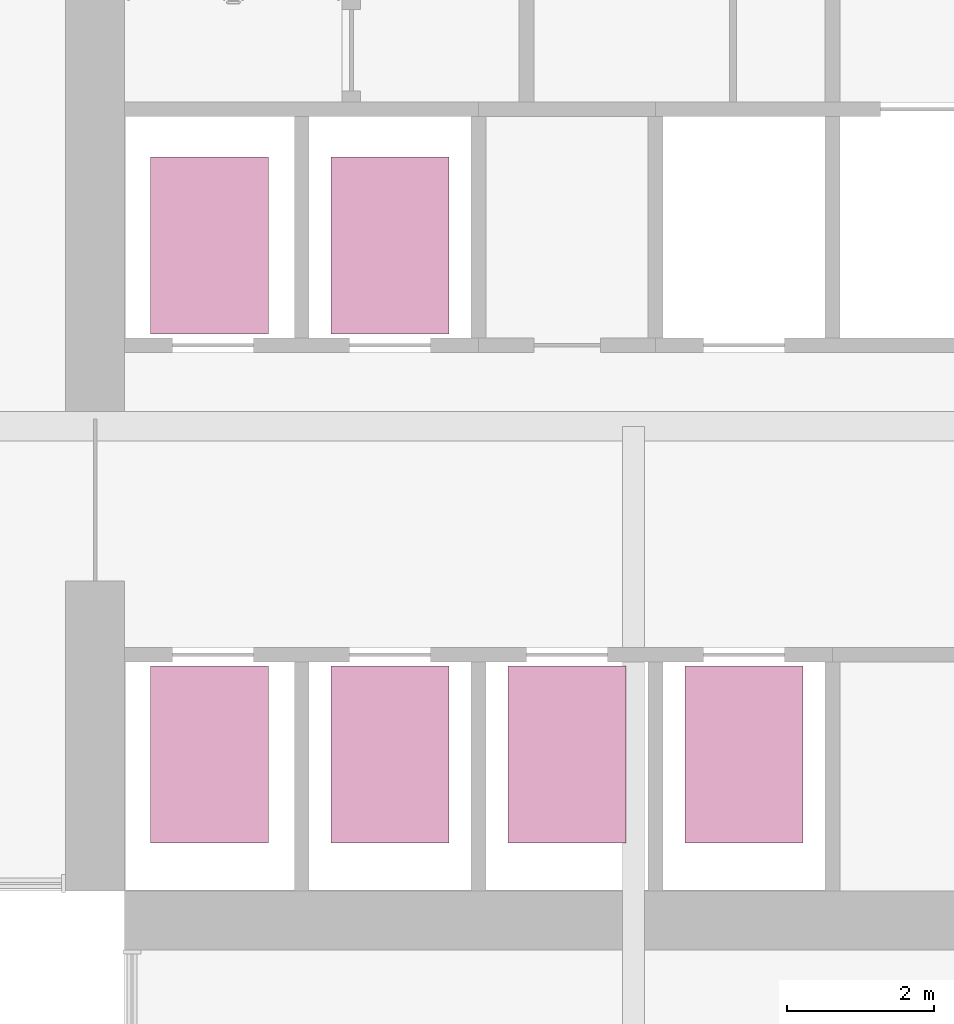
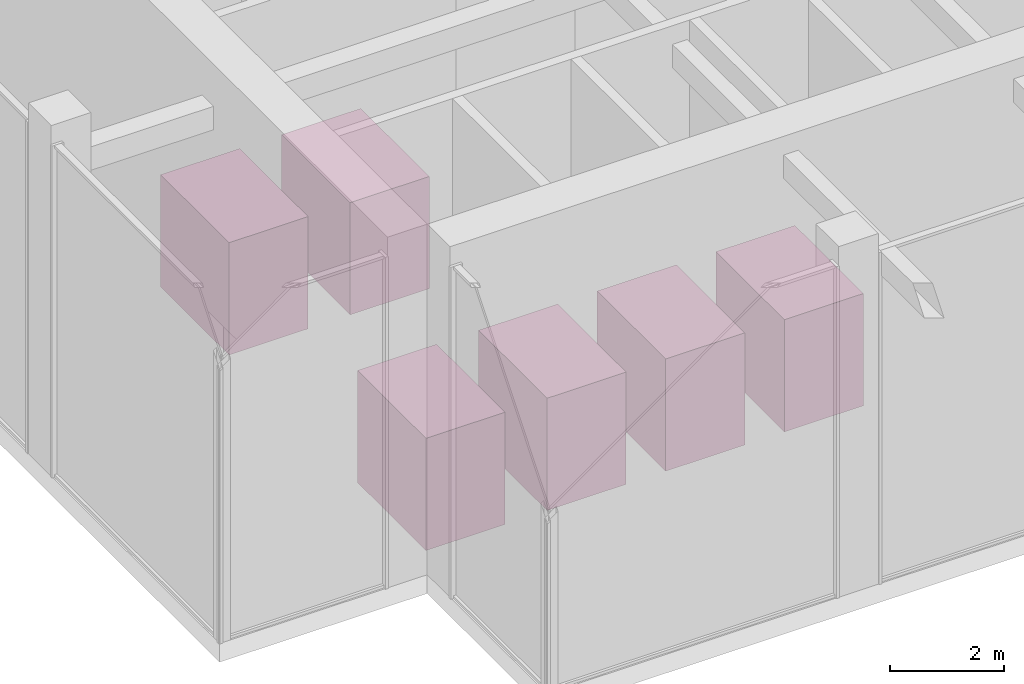
# One storey, part 13 of 13: 6 transport elements.
"""IFC4 building model written with IfcOpenShell, lengths in metres."""

import ifcopenshell
import ifcopenshell.guid

model = None  # the IFC model being written
_history = None  # IfcOwnerHistory: only IFC2X3 demands one
_inside = {}  # id of a spatial element -> (the spatial element, [elements in it])
_under = {}  # id of a project, library or spatial element -> (it, [spatial elements below it])
_declared = {}  # id of a project -> (the project, [libraries it declares])
_typed = {}  # id of a type object -> (the type object, [elements of that type])
_made_of = {}  # id of a material, layer set ... -> (it, [elements and type objects made of it])


def new_model(schema):
    """Start an empty IFC model of exactly this schema.

    Asked for "IFC4X3", IfcOpenShell would pick the latest addendum, in which some entities
    have other attributes; the version numbers below select the first issue.
    IFC2X3 requires an IfcOwnerHistory on every rooted entity: one is made here for all.
    """
    global model, _history
    if schema == "IFC4X3":
        model = ifcopenshell.file(schema_version=(4, 3, 0, 0))
    else:
        model = ifcopenshell.file(schema=schema)
    _inside.clear()
    _under.clear()
    _declared.clear()
    _typed.clear()
    _made_of.clear()
    _history = None
    if model.schema == "IFC2X3":
        org = make("IfcOrganization", Name="unknown")
        user = make(
            "IfcPersonAndOrganization",
            ThePerson=make("IfcPerson", FamilyName="unknown"),
            TheOrganization=org,
        )
        app = make(
            "IfcApplication",
            ApplicationDeveloper=org,
            Version="unknown",
            ApplicationFullName="unknown",
            ApplicationIdentifier="unknown",
        )
        _history = make(
            "IfcOwnerHistory",
            OwningUser=user,
            OwningApplication=app,
            ChangeAction="ADDED",
            CreationDate=0,
        )
    return model


def make(cls, **values):
    """One entity of the class cls with the attributes given. An attribute that is None is left unset."""
    return model.create_entity(
        cls, **{name: value for name, value in values.items() if value is not None}
    )


def rooted(cls, **values):
    """An entity with a GlobalId (a new one), such as an element, a storey or a relation."""
    return make(cls, GlobalId=ifcopenshell.guid.new(), OwnerHistory=_history, **values)


def si_unit(unit_type, name, prefix=None):
    """IfcSIUnit, for example si_unit("LENGTHUNIT", "METRE", prefix="MILLI")."""
    return make("IfcSIUnit", UnitType=unit_type, Prefix=prefix, Name=name)


def assignment(units):
    """IfcUnitAssignment: the units of a project."""
    return None if units is None else make("IfcUnitAssignment", Units=units)


def point(xyz):
    """IfcCartesianPoint."""
    return None if xyz is None else make("IfcCartesianPoint", Coordinates=xyz)


def direction(xyz):
    """IfcDirection."""
    return None if xyz is None else make("IfcDirection", DirectionRatios=xyz)


def frame(location, z_axis=None, x_axis=None):
    """IfcAxis2Placement3D, a coordinate frame: its origin and axes. An axis left out is left unset."""
    return make(
        "IfcAxis2Placement3D",
        Location=point(location),
        Axis=direction(z_axis),
        RefDirection=direction(x_axis),
    )


def frame_2d(location, x_axis=None):
    """IfcAxis2Placement2D, a coordinate frame in the plane: its origin and x axis."""
    return make(
        "IfcAxis2Placement2D", Location=point(location), RefDirection=direction(x_axis)
    )


def origin():
    """The frame at (0, 0, 0) with its axes left unset."""
    return frame((0.0, 0.0, 0.0))


def origin_2d():
    """The frame at (0, 0) in the plane with its x axis left unset."""
    return frame_2d((0.0, 0.0))


def place(relative_to, where):
    """IfcLocalPlacement: puts the frame where relative to a parent placement (None: the world)."""
    return make(
        "IfcLocalPlacement", PlacementRelTo=relative_to, RelativePlacement=where
    )


def context(
    kind, dimensions, precision=None, world=None, true_north=None, identifier=None
):
    """IfcGeometricRepresentationContext, for example the 3D "Model" context."""
    return make(
        "IfcGeometricRepresentationContext",
        ContextIdentifier=identifier,
        ContextType=kind,
        CoordinateSpaceDimension=dimensions,
        Precision=precision,
        WorldCoordinateSystem=world,
        TrueNorth=true_north,
    )


def subcontext(parent, identifier, kind, view, scale=None):
    """IfcGeometricRepresentationSubContext, for example "Body" below "Model"."""
    return make(
        "IfcGeometricRepresentationSubContext",
        ContextIdentifier=identifier,
        ContextType=kind,
        ParentContext=parent,
        TargetScale=scale,
        TargetView=view,
    )


def project(units=None, contexts=None):
    """IfcProject with its units and contexts."""
    return rooted(
        "IfcProject",
        Name="project",
        RepresentationContexts=contexts,
        UnitsInContext=assignment(units),
    )


def spatial(cls, under=None, at=None, **own):
    """A site, building, storey or space (cls), placed at a placement, below another one or the project."""
    s = rooted(cls, ObjectPlacement=at, **own)
    if under is not None:
        _under.setdefault(under.id(), (under, []))[1].append(s)
    return s


def profile(cls, at=None, kind="AREA", **sizes):
    """A parametric profile (cls). Its sizes go by their IFC names, for example OverallWidth=200.0."""
    return make(cls, ProfileType=kind, Position=at, **sizes)


def rectangle(**sizes):
    """IfcRectangleProfileDef."""
    return profile("IfcRectangleProfileDef", **sizes)


def extrude(swept, where, along, depth):
    """IfcExtrudedAreaSolid: the profile swept, set in the frame where, extruded along a direction by depth."""
    return make(
        "IfcExtrudedAreaSolid",
        SweptArea=swept,
        Position=where,
        ExtrudedDirection=direction(along),
        Depth=depth,
    )


def shape(context_of_items, identifier, shape_type, items):
    """IfcShapeRepresentation: the items that make up one representation, for example the "Body"."""
    return make(
        "IfcShapeRepresentation",
        ContextOfItems=context_of_items,
        RepresentationIdentifier=identifier,
        RepresentationType=shape_type,
        Items=items,
    )


def source(mapping_origin, context_of_items, identifier, shape_type, items):
    """IfcRepresentationMap: a shape defined once, which mapped items show again and again."""
    return make(
        "IfcRepresentationMap",
        MappingOrigin=mapping_origin,
        MappedRepresentation=shape(context_of_items, identifier, shape_type, items),
    )


def transform(
    local_origin,
    x_axis=None,
    y_axis=None,
    z_axis=None,
    scale=None,
    scale2=None,
    scale3=None,
    uniform=True,
):
    """IfcCartesianTransformationOperator3D, or its non-uniform kind. x_axis, y_axis, z_axis: its Axis1, 2, 3."""
    if uniform:
        return make(
            "IfcCartesianTransformationOperator3D",
            Axis1=direction(x_axis),
            Axis2=direction(y_axis),
            LocalOrigin=point(local_origin),
            Scale=scale,
            Axis3=direction(z_axis),
        )
    return make(
        "IfcCartesianTransformationOperator3DnonUniform",
        Axis1=direction(x_axis),
        Axis2=direction(y_axis),
        LocalOrigin=point(local_origin),
        Scale=scale,
        Axis3=direction(z_axis),
        Scale2=scale2,
        Scale3=scale3,
    )


def mapped(mapping_source, mapping_target):
    """IfcMappedItem: shows the shape of a source again, moved by a transform."""
    return make(
        "IfcMappedItem", MappingSource=mapping_source, MappingTarget=mapping_target
    )


def material(Name=None, Category=None):
    """IfcMaterial."""
    return make("IfcMaterial", Name=Name, Category=Category)


def made_of(thing, what):
    """Note that an element or type object is made of a material, layer set ...; save() writes the relation."""
    if what is not None:
        _made_of.setdefault(what.id(), (what, []))[1].append(thing)
    return thing


def type_object(cls, material=None, **own):
    """A type object (cls), such as IfcWallType, which elements share."""
    return made_of(rooted(cls, **own), material)


def element(
    cls,
    number,
    at=None,
    inside=None,
    cuts=None,
    type_object=None,
    material=None,
    context=None,
    identifier="Body",
    shape_type=None,
    held_by="IfcProductDefinitionShape",
    body=None,
    shapes=None,
    **own,
):
    """One element of the class cls, such as IfcWall. Its Tag is "e" and its number.

    at: its placement. inside: the storey or other place that contains it. cuts: it is an
    opening in that element (IfcRelVoidsElement). A single representation is given by context,
    identifier, shape_type and body (its items); several are given by shapes. held_by: the class
    of the entity that holds the representations. save() writes the other relations.
    """
    e = rooted(cls, Tag="e%d" % number, ObjectPlacement=at, **own)
    if body is not None:
        shapes = [shape(context, identifier, shape_type, body)]
    if shapes is not None:
        e.Representation = make(held_by, Representations=shapes)
    if inside is not None:
        _inside.setdefault(inside.id(), (inside, []))[1].append(e)
    if cuts is not None:
        rooted(
            "IfcRelVoidsElement", RelatingBuildingElement=cuts, RelatedOpeningElement=e
        )
    if type_object is not None:
        _typed.setdefault(type_object.id(), (type_object, []))[1].append(e)
    return made_of(e, material)


def aggregate(whole, parts):
    """IfcRelAggregates: a whole, such as a stair, and the parts it consists of."""
    return rooted("IfcRelAggregates", RelatingObject=whole, RelatedObjects=parts)


def save(model, path):
    """Write the relations noted so far, then the file.

    IfcRelAggregates (storeys below a building ...), IfcRelContainedInSpatialStructure (elements
    in a storey), IfcRelDefinesByType, IfcRelAssociatesMaterial and IfcRelDeclares: one each for
    every whole, place, type object, material and project.
    """
    for whole, parts in _under.values():
        aggregate(whole, parts)
    for where, things in _inside.values():
        rooted(
            "IfcRelContainedInSpatialStructure",
            RelatedElements=things,
            RelatingStructure=where,
        )
    for kind, things in _typed.values():
        rooted("IfcRelDefinesByType", RelatedObjects=things, RelatingType=kind)
    for what, things in _made_of.values():
        rooted("IfcRelAssociatesMaterial", RelatedObjects=things, RelatingMaterial=what)
    for by, libraries in _declared.values():
        rooted("IfcRelDeclares", RelatingContext=by, RelatedDefinitions=libraries)
    model.write(path)


model = new_model("IFC4")

# Units and contexts
model_context = context("Model", 3, precision=1e-05, world=origin(), true_north=direction((0.0, 1.0)))
body_context = subcontext(model_context, "Body", "Model", "MODEL_VIEW")
ifc_project = project(units=[si_unit("LENGTHUNIT", "METRE"), si_unit("AREAUNIT", "SQUARE_METRE"), si_unit("VOLUMEUNIT", "CUBIC_METRE"), si_unit("PLANEANGLEUNIT", "RADIAN"), si_unit("MASSUNIT", "GRAM", prefix="KILO")], contexts=[model_context])

# Site, building, storey
site_placement = place(None, origin())
site = spatial("IfcSite", under=ifc_project, at=site_placement, CompositionType="ELEMENT")
building_placement = place(site_placement, origin())
building = spatial("IfcBuilding", under=site, at=building_placement, Name="Aurelian Terraces", CompositionType="ELEMENT")
storey_placement = place(building_placement, frame((0.0, 0.0, 277.0)))
storey = spatial("IfcBuildingStorey", under=building, at=storey_placement, Name="L63", CompositionType="ELEMENT", Elevation=277.0)

# Transport elements
ifc_material = material(Name="Stainless steel panelling", Category="steel")
transport_element_type = type_object("IfcTransportElementType", Name="Lift car LH", PredefinedType="ELEVATOR", material=ifc_material)
shared_shape = source(origin(), body_context, "Body", "SweptSolid", [
    extrude(rectangle(XDim=1.6, YDim=2.4, at=origin_2d()), origin(), (0.0, 0.0, 1.0), 2.4),
])
for number, where, z_axis, x_axis, name in (
    (1, (5.35, 6.05, 0.0), (0.0, 0.0, 1.0), (1.0, 0.0, 0.0), "LH1"),
    (2, (7.8, 6.05, 0.0), (0.0, 0.0, 1.0), (1.0, 0.0, 0.0), "LH2"),
    (3, (10.2, 6.05, 0.0), (0.0, 0.0, 1.0), (1.0, 0.0, 0.0), "LH3"),
    (4, (12.6, 6.05, 0.0), (0.0, 0.0, 1.0), (1.0, 0.0, 0.0), "LH4"),
    (5, (5.35, 12.95, 0.0), (0.0, 0.0, 1.0), (1.0, 0.0, 0.0), "LH5"),
    (6, (7.8, 12.95, 0.0), (0.0, 0.0, 1.0), (1.0, 0.0, 0.0), "LH6"),
):
    element("IfcTransportElement", number, at=place(storey_placement, frame(where, z_axis=z_axis, x_axis=x_axis)), inside=storey, type_object=transport_element_type, Name=name, PredefinedType="ELEVATOR", context=body_context, shape_type="MappedRepresentation", body=[
        mapped(shared_shape, transform((0.0, 0.0, 0.0), scale=1.0)),
    ])

save(model, "model.ifc")
